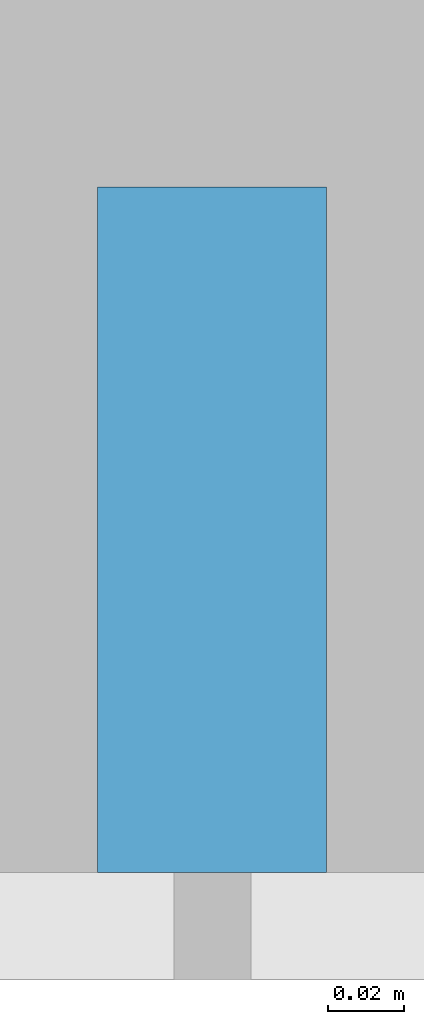
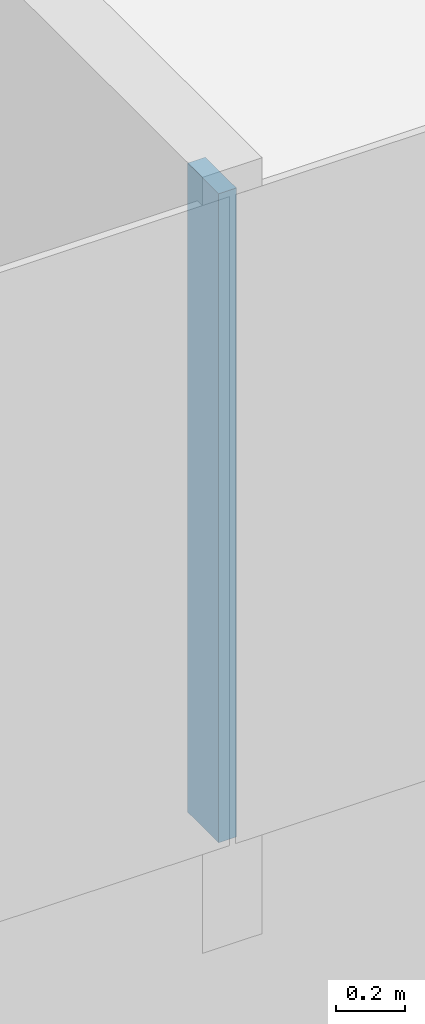
# One storey, part 5 of 26: 1 member, 1 element without a shape of its own.
"""IFC4 building model written with IfcOpenShell, lengths in metres."""

from ifc_helpers import new_model, si_unit, direction, frame, origin, origin_2d, place, context, subcontext, project, spatial, rectangle, extrude, material, layer, layer_set, material_profile, profile_set, type_object, element, aggregate, save


model = new_model("IFC4")

# Units and contexts
model_context = context("Model", 3, precision=1e-05, world=origin(), true_north=direction((0.0, 1.0)))
body_context = subcontext(model_context, "Body", "Model", "MODEL_VIEW")
ifc_project = project(units=[si_unit("LENGTHUNIT", "METRE"), si_unit("AREAUNIT", "SQUARE_METRE"), si_unit("VOLUMEUNIT", "CUBIC_METRE"), si_unit("PLANEANGLEUNIT", "RADIAN"), si_unit("MASSUNIT", "GRAM", prefix="KILO")], contexts=[model_context])

# Site, building, storey
site_placement = place(None, origin())
site = spatial("IfcSite", under=ifc_project, at=site_placement, CompositionType="ELEMENT")
building_placement = place(site_placement, origin())
building = spatial("IfcBuilding", under=site, at=building_placement, Name="Hakoniwa Tower and Hamabe Station Hall", CompositionType="ELEMENT")
storey_placement = place(building_placement, frame((0.0, 0.0, 134.199951171875)))
storey = spatial("IfcBuildingStorey", under=building, at=storey_placement, Name="L37", CompositionType="ELEMENT", Elevation=134.199951171875)

# Curtain wall, member
ifc_material_1 = material(Name="Dark low-e laminated glass", Category="glass")
ifc_layer = layer(ifc_material_1, 0.199951171875)
ifc_layer_set = layer_set([ifc_layer], Name="CW-1 UNITISED GUEST")
curtain_wall_type = type_object("IfcCurtainWallType", Name="CW-1 UNITISED GUEST", PredefinedType="NOTDEFINED", material=ifc_layer_set)
curtain_wall_placement = place(storey_placement, origin())
curtain_wall = element("IfcCurtainWall", 1, at=curtain_wall_placement, inside=storey, type_object=curtain_wall_type, Name="CW-1 curtain wall", PredefinedType="NOTDEFINED")
ifc_material_2 = material(Name="Aluminium 6063-T5 black anodised", Category="aluminium")
ifc_material_profile = material_profile(ifc_material_2, rectangle(XDim=0.06005859375, YDim=0.179931640625, at=origin_2d()), Name="CW-1 MULLION 60X180")
ifc_profile_set = profile_set([ifc_material_profile], Name="Aluminium 6063-T5 black anodised")
member_type = type_object("IfcMemberType", Name="CW-1 MULLION 60X180", PredefinedType="MULLION", material=ifc_profile_set)
member_placement = place(storey_placement, frame((8.39990234375, -19.181884765625, 0.35009765625), z_axis=(0.0, 0.0, 1.0), x_axis=(1.0, 0.0, 0.0)))
member = element("IfcMember", 2, at=member_placement, type_object=member_type, Name="CW-1 mullion", PredefinedType="MULLION", context=body_context, shape_type="SweptSolid", body=[
    extrude(rectangle(XDim=0.06005859375, YDim=0.179931640625, at=origin_2d()), origin(), (0.0, 0.0, 1.0), 2.300048828125),
])
aggregate(curtain_wall, [member])

save(model, "model.ifc")
